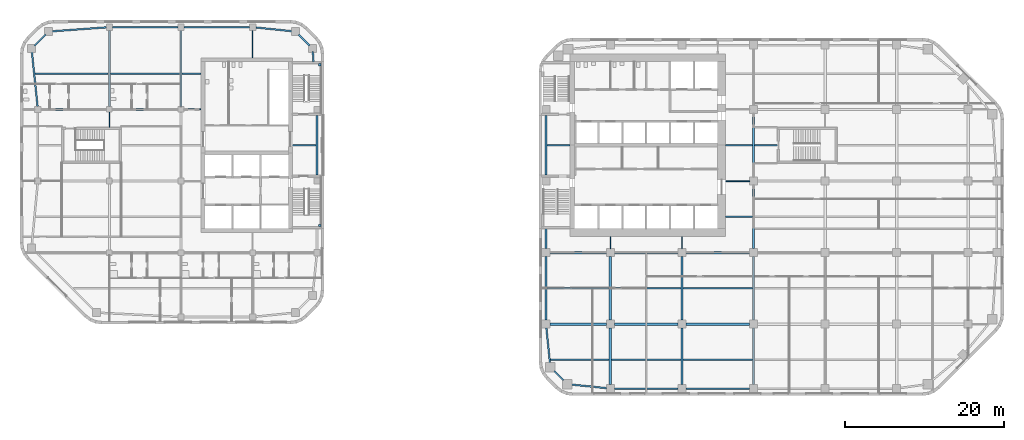
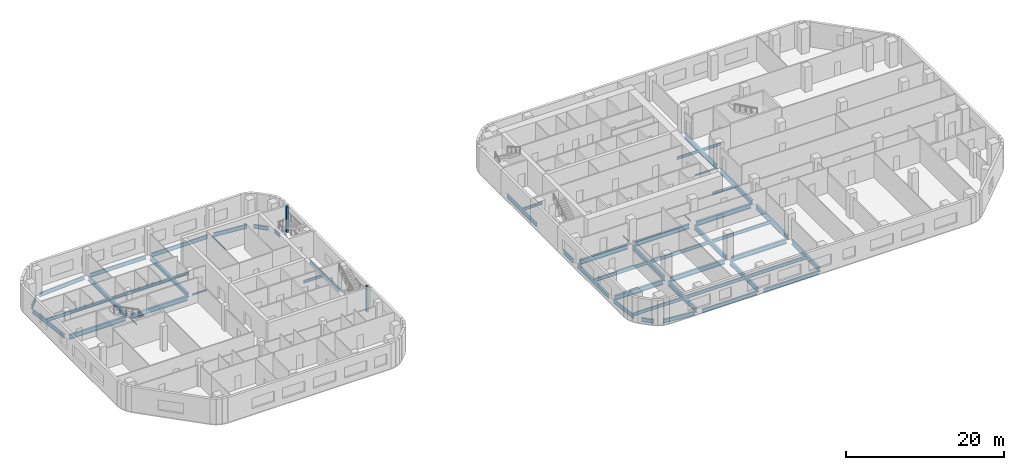
# One storey, part 2 of 16: 55 beams, 2 members.
"""IFC4 building model written with IfcOpenShell, lengths in metres."""

import ifcopenshell
import ifcopenshell.guid

model = None  # the IFC model being written
_history = None  # IfcOwnerHistory: only IFC2X3 demands one
_inside = {}  # id of a spatial element -> (the spatial element, [elements in it])
_under = {}  # id of a project, library or spatial element -> (it, [spatial elements below it])
_declared = {}  # id of a project -> (the project, [libraries it declares])
_typed = {}  # id of a type object -> (the type object, [elements of that type])
_made_of = {}  # id of a material, layer set ... -> (it, [elements and type objects made of it])


def new_model(schema):
    """Start an empty IFC model of exactly this schema.

    Asked for "IFC4X3", IfcOpenShell would pick the latest addendum, in which some entities
    have other attributes; the version numbers below select the first issue.
    IFC2X3 requires an IfcOwnerHistory on every rooted entity: one is made here for all.
    """
    global model, _history
    if schema == "IFC4X3":
        model = ifcopenshell.file(schema_version=(4, 3, 0, 0))
    else:
        model = ifcopenshell.file(schema=schema)
    _inside.clear()
    _under.clear()
    _declared.clear()
    _typed.clear()
    _made_of.clear()
    _history = None
    if model.schema == "IFC2X3":
        org = make("IfcOrganization", Name="unknown")
        user = make(
            "IfcPersonAndOrganization",
            ThePerson=make("IfcPerson", FamilyName="unknown"),
            TheOrganization=org,
        )
        app = make(
            "IfcApplication",
            ApplicationDeveloper=org,
            Version="unknown",
            ApplicationFullName="unknown",
            ApplicationIdentifier="unknown",
        )
        _history = make(
            "IfcOwnerHistory",
            OwningUser=user,
            OwningApplication=app,
            ChangeAction="ADDED",
            CreationDate=0,
        )
    return model


def make(cls, **values):
    """One entity of the class cls with the attributes given. An attribute that is None is left unset."""
    return model.create_entity(
        cls, **{name: value for name, value in values.items() if value is not None}
    )


def rooted(cls, **values):
    """An entity with a GlobalId (a new one), such as an element, a storey or a relation."""
    return make(cls, GlobalId=ifcopenshell.guid.new(), OwnerHistory=_history, **values)


def si_unit(unit_type, name, prefix=None):
    """IfcSIUnit, for example si_unit("LENGTHUNIT", "METRE", prefix="MILLI")."""
    return make("IfcSIUnit", UnitType=unit_type, Prefix=prefix, Name=name)


def assignment(units):
    """IfcUnitAssignment: the units of a project."""
    return None if units is None else make("IfcUnitAssignment", Units=units)


def point(xyz):
    """IfcCartesianPoint."""
    return None if xyz is None else make("IfcCartesianPoint", Coordinates=xyz)


def direction(xyz):
    """IfcDirection."""
    return None if xyz is None else make("IfcDirection", DirectionRatios=xyz)


def frame(location, z_axis=None, x_axis=None):
    """IfcAxis2Placement3D, a coordinate frame: its origin and axes. An axis left out is left unset."""
    return make(
        "IfcAxis2Placement3D",
        Location=point(location),
        Axis=direction(z_axis),
        RefDirection=direction(x_axis),
    )


def frame_2d(location, x_axis=None):
    """IfcAxis2Placement2D, a coordinate frame in the plane: its origin and x axis."""
    return make(
        "IfcAxis2Placement2D", Location=point(location), RefDirection=direction(x_axis)
    )


def origin():
    """The frame at (0, 0, 0) with its axes left unset."""
    return frame((0.0, 0.0, 0.0))


def origin_2d():
    """The frame at (0, 0) in the plane with its x axis left unset."""
    return frame_2d((0.0, 0.0))


def place(relative_to, where):
    """IfcLocalPlacement: puts the frame where relative to a parent placement (None: the world)."""
    return make(
        "IfcLocalPlacement", PlacementRelTo=relative_to, RelativePlacement=where
    )


def context(
    kind, dimensions, precision=None, world=None, true_north=None, identifier=None
):
    """IfcGeometricRepresentationContext, for example the 3D "Model" context."""
    return make(
        "IfcGeometricRepresentationContext",
        ContextIdentifier=identifier,
        ContextType=kind,
        CoordinateSpaceDimension=dimensions,
        Precision=precision,
        WorldCoordinateSystem=world,
        TrueNorth=true_north,
    )


def subcontext(parent, identifier, kind, view, scale=None):
    """IfcGeometricRepresentationSubContext, for example "Body" below "Model"."""
    return make(
        "IfcGeometricRepresentationSubContext",
        ContextIdentifier=identifier,
        ContextType=kind,
        ParentContext=parent,
        TargetScale=scale,
        TargetView=view,
    )


def project(units=None, contexts=None):
    """IfcProject with its units and contexts."""
    return rooted(
        "IfcProject",
        Name="project",
        RepresentationContexts=contexts,
        UnitsInContext=assignment(units),
    )


def spatial(cls, under=None, at=None, **own):
    """A site, building, storey or space (cls), placed at a placement, below another one or the project."""
    s = rooted(cls, ObjectPlacement=at, **own)
    if under is not None:
        _under.setdefault(under.id(), (under, []))[1].append(s)
    return s


def profile(cls, at=None, kind="AREA", **sizes):
    """A parametric profile (cls). Its sizes go by their IFC names, for example OverallWidth=200.0."""
    return make(cls, ProfileType=kind, Position=at, **sizes)


def rectangle(**sizes):
    """IfcRectangleProfileDef."""
    return profile("IfcRectangleProfileDef", **sizes)


def i_section(**sizes):
    """IfcIShapeProfileDef."""
    return profile("IfcIShapeProfileDef", **sizes)


def extrude(swept, where, along, depth):
    """IfcExtrudedAreaSolid: the profile swept, set in the frame where, extruded along a direction by depth."""
    return make(
        "IfcExtrudedAreaSolid",
        SweptArea=swept,
        Position=where,
        ExtrudedDirection=direction(along),
        Depth=depth,
    )


def shape(context_of_items, identifier, shape_type, items):
    """IfcShapeRepresentation: the items that make up one representation, for example the "Body"."""
    return make(
        "IfcShapeRepresentation",
        ContextOfItems=context_of_items,
        RepresentationIdentifier=identifier,
        RepresentationType=shape_type,
        Items=items,
    )


def material(Name=None, Category=None):
    """IfcMaterial."""
    return make("IfcMaterial", Name=Name, Category=Category)


def material_profile(
    of_material, cross_section, Name=None, Category=None, Priority=None
):
    """IfcMaterialProfile: a cross section and its material."""
    return make(
        "IfcMaterialProfile",
        Name=Name,
        Material=of_material,
        Profile=cross_section,
        Priority=Priority,
        Category=Category,
    )


def profile_set(profiles, Name=None, composite=None):
    """IfcMaterialProfileSet."""
    return make(
        "IfcMaterialProfileSet",
        Name=Name,
        MaterialProfiles=profiles,
        CompositeProfile=composite,
    )


def made_of(thing, what):
    """Note that an element or type object is made of a material, layer set ...; save() writes the relation."""
    if what is not None:
        _made_of.setdefault(what.id(), (what, []))[1].append(thing)
    return thing


def type_object(cls, material=None, **own):
    """A type object (cls), such as IfcWallType, which elements share."""
    return made_of(rooted(cls, **own), material)


def element(
    cls,
    number,
    at=None,
    inside=None,
    cuts=None,
    type_object=None,
    material=None,
    context=None,
    identifier="Body",
    shape_type=None,
    held_by="IfcProductDefinitionShape",
    body=None,
    shapes=None,
    **own,
):
    """One element of the class cls, such as IfcWall. Its Tag is "e" and its number.

    at: its placement. inside: the storey or other place that contains it. cuts: it is an
    opening in that element (IfcRelVoidsElement). A single representation is given by context,
    identifier, shape_type and body (its items); several are given by shapes. held_by: the class
    of the entity that holds the representations. save() writes the other relations.
    """
    e = rooted(cls, Tag="e%d" % number, ObjectPlacement=at, **own)
    if body is not None:
        shapes = [shape(context, identifier, shape_type, body)]
    if shapes is not None:
        e.Representation = make(held_by, Representations=shapes)
    if inside is not None:
        _inside.setdefault(inside.id(), (inside, []))[1].append(e)
    if cuts is not None:
        rooted(
            "IfcRelVoidsElement", RelatingBuildingElement=cuts, RelatedOpeningElement=e
        )
    if type_object is not None:
        _typed.setdefault(type_object.id(), (type_object, []))[1].append(e)
    return made_of(e, material)


def aggregate(whole, parts):
    """IfcRelAggregates: a whole, such as a stair, and the parts it consists of."""
    return rooted("IfcRelAggregates", RelatingObject=whole, RelatedObjects=parts)


def save(model, path):
    """Write the relations noted so far, then the file.

    IfcRelAggregates (storeys below a building ...), IfcRelContainedInSpatialStructure (elements
    in a storey), IfcRelDefinesByType, IfcRelAssociatesMaterial and IfcRelDeclares: one each for
    every whole, place, type object, material and project.
    """
    for whole, parts in _under.values():
        aggregate(whole, parts)
    for where, things in _inside.values():
        rooted(
            "IfcRelContainedInSpatialStructure",
            RelatedElements=things,
            RelatingStructure=where,
        )
    for kind, things in _typed.values():
        rooted("IfcRelDefinesByType", RelatedObjects=things, RelatingType=kind)
    for what, things in _made_of.values():
        rooted("IfcRelAssociatesMaterial", RelatedObjects=things, RelatingMaterial=what)
    for by, libraries in _declared.values():
        rooted("IfcRelDeclares", RelatingContext=by, RelatedDefinitions=libraries)
    model.write(path)


model = new_model("IFC4")

# Units and contexts
model_context = context("Model", 3, precision=1e-05, world=origin(), true_north=direction((0.0, 1.0)))
body_context = subcontext(model_context, "Body", "Model", "MODEL_VIEW")
ifc_project = project(units=[si_unit("LENGTHUNIT", "METRE"), si_unit("AREAUNIT", "SQUARE_METRE"), si_unit("VOLUMEUNIT", "CUBIC_METRE"), si_unit("PLANEANGLEUNIT", "RADIAN"), si_unit("MASSUNIT", "GRAM", prefix="KILO")], contexts=[model_context])

# Site, building, storey
site_placement = place(None, origin())
site = spatial("IfcSite", under=ifc_project, at=site_placement, CompositionType="ELEMENT")
building_placement = place(site_placement, origin())
building = spatial("IfcBuilding", under=site, at=building_placement, Name="Cinnabar Reach Civic Tower", CompositionType="ELEMENT")
storey_placement = place(building_placement, frame((0.0, 0.0, 55.0)))
storey = spatial("IfcBuildingStorey", under=building, at=storey_placement, Name="L12", CompositionType="ELEMENT", Elevation=55.0)

# Beams
ifc_material_1 = material(Name="Steel Q355B", Category="steel")
ifc_material_profile_1 = material_profile(ifc_material_1, i_section(OverallWidth=0.302, OverallDepth=0.594, WebThickness=0.014, FlangeThickness=0.023, FilletRadius=0.016, at=origin_2d()), Name="HM594x302x14x23")
ifc_profile_set_1 = profile_set([ifc_material_profile_1], Name="Steel Q355B")
beam_type_1 = type_object("IfcBeamType", Name="HM594x302x14x23 beam R 120", PredefinedType="BEAM", material=ifc_profile_set_1)
for number, where, z_axis, x_axis, name in (
    (1, (-54.0, 36.352, -0.447), (0.0, 1.0, 0.0), (-1.0, 0.0, 0.0), "Girder T2 L12 5"),
    (2, (-45.0, 36.352, -0.447), (0.0, 1.0, 0.0), (-1.0, 0.0, 0.0), "Girder T2 L12 9"),
):
    element("IfcBeam", number, at=place(storey_placement, frame(where, z_axis=z_axis, x_axis=x_axis)), inside=storey, type_object=beam_type_1, Name=name, PredefinedType="BEAM", context=body_context, shape_type="SweptSolid", body=[
        extrude(i_section(OverallWidth=0.302, OverallDepth=0.594, WebThickness=0.014, FlangeThickness=0.023, FilletRadius=0.016, at=origin_2d()), origin(), (0.0, 0.0, 1.0), 9.596),
    ])
ifc_material_profile_2 = material_profile(ifc_material_1, i_section(OverallWidth=0.099, OverallDepth=0.198, WebThickness=0.0045, FlangeThickness=0.007, FilletRadius=0.013, at=origin_2d()), Name="HN200x100x5.5x8")
ifc_profile_set_2 = profile_set([ifc_material_profile_2], Name="Steel Q355B")
beam_type_2 = type_object("IfcBeamType", Name="HN200x100x5.5x8 beam R 120", PredefinedType="BEAM", material=ifc_profile_set_2)
beam_1_placement = place(storey_placement, frame((-54.0, 33.752, -0.249), z_axis=(0.0, 1.0, 0.0), x_axis=(-1.0, 0.0, 0.0)))
element("IfcBeam", 3, at=beam_1_placement, inside=storey, type_object=beam_type_2, Name="Girder T2 L12 4", PredefinedType="BEAM", context=body_context, shape_type="SweptSolid", body=[
    extrude(i_section(OverallWidth=0.099, OverallDepth=0.198, WebThickness=0.0045, FlangeThickness=0.007, FilletRadius=0.013, at=origin_2d()), origin(), (0.0, 0.0, 1.0), 1.896),
])
beam_2_placement = place(storey_placement, frame((-36.0, 42.502, -0.249), z_axis=(0.0, 1.0, 0.0), x_axis=(-1.0, 0.0, 0.0)))
element("IfcBeam", 4, at=beam_2_placement, inside=storey, type_object=beam_type_2, Name="Girder T2 L12 12", PredefinedType="BEAM", context=body_context, shape_type="SweptSolid", body=[
    extrude(i_section(OverallWidth=0.099, OverallDepth=0.198, WebThickness=0.0045, FlangeThickness=0.007, FilletRadius=0.013, at=origin_2d()), origin(), (0.0, 0.0, 1.0), 3.446),
])
ifc_material_profile_3 = material_profile(ifc_material_1, i_section(OverallWidth=0.099, OverallDepth=0.198, WebThickness=0.0045, FlangeThickness=0.007, FilletRadius=0.013, at=origin_2d()), Name="HN200x100x5.5x8")
ifc_profile_set_3 = profile_set([ifc_material_profile_3], Name="Steel Q355B")
beam_type_3 = type_object("IfcBeamType", Name="HN200x100x5.5x8 beam R 180", PredefinedType="BEAM", material=ifc_profile_set_3)
for number, where, z_axis, x_axis, name in (
    (5, (9.0, 18.502, -0.249), (0.0, 1.0, 0.0), (-1.0, 0.0, 0.0), "Girder T1 L12 3"),
    (6, (18.0, 18.502, -0.249), (0.0, 1.0, 0.0), (-1.0, 0.0, 0.0), "Girder T1 L12 6"),
):
    element("IfcBeam", number, at=place(storey_placement, frame(where, z_axis=z_axis, x_axis=x_axis)), inside=storey, type_object=beam_type_3, Name=name, PredefinedType="BEAM", context=body_context, shape_type="SweptSolid", body=[
        extrude(i_section(OverallWidth=0.099, OverallDepth=0.198, WebThickness=0.0045, FlangeThickness=0.007, FilletRadius=0.013, at=origin_2d()), origin(), (0.0, 0.0, 1.0), 1.496),
    ])
ifc_material_profile_4 = material_profile(ifc_material_1, i_section(OverallWidth=0.124, OverallDepth=0.248, WebThickness=0.005, FlangeThickness=0.008, FilletRadius=0.013, at=origin_2d()), Name="HN250x125x6x9")
ifc_profile_set_4 = profile_set([ifc_material_profile_4], Name="Steel Q355B")
beam_type_4 = type_object("IfcBeamType", Name="HN250x125x6x9 beam R 120", PredefinedType="BEAM", material=ifc_profile_set_4)
beam_3_placement = place(storey_placement, frame((-44.648, 36.0, -0.274), z_axis=(1.0, 0.0, 0.0), x_axis=(0.0, 1.0, 0.0)))
element("IfcBeam", 7, at=beam_3_placement, inside=storey, type_object=beam_type_4, Name="Girder T2 L12 10", PredefinedType="BEAM", context=body_context, shape_type="SweptSolid", body=[
    extrude(i_section(OverallWidth=0.124, OverallDepth=0.248, WebThickness=0.005, FlangeThickness=0.008, FilletRadius=0.013, at=origin_2d()), origin(), (0.0, 0.0, 1.0), 2.146),
])
ifc_material_profile_5 = material_profile(ifc_material_1, i_section(OverallWidth=0.124, OverallDepth=0.248, WebThickness=0.005, FlangeThickness=0.008, FilletRadius=0.013, at=origin_2d()), Name="HN250x125x6x9")
ifc_profile_set_5 = profile_set([ifc_material_profile_5], Name="Steel Q355B")
beam_type_5 = type_object("IfcBeamType", Name="HN250x125x6x9 beam R 180", PredefinedType="BEAM", material=ifc_profile_set_5)
beam_4_placement = place(storey_placement, frame((23.502, 27.0, -0.274), z_axis=(1.0, 0.0, 0.0), x_axis=(0.0, 1.0, 0.0)))
element("IfcBeam", 8, at=beam_4_placement, inside=storey, type_object=beam_type_5, Name="Girder T1 L12 15", PredefinedType="BEAM", context=body_context, shape_type="SweptSolid", body=[
    extrude(i_section(OverallWidth=0.124, OverallDepth=0.248, WebThickness=0.005, FlangeThickness=0.008, FilletRadius=0.013, at=origin_2d()), origin(), (0.0, 0.0, 1.0), 2.996),
])
ifc_material_profile_6 = material_profile(ifc_material_1, i_section(OverallWidth=0.199, OverallDepth=0.396, WebThickness=0.007, FlangeThickness=0.011, FilletRadius=0.013, at=origin_2d()), Name="HN396x199x7x11")
ifc_profile_set_6 = profile_set([ifc_material_profile_6], Name="Steel Q355B")
beam_type_6 = type_object("IfcBeamType", Name="HN396x199x7x11 beam R 120", PredefinedType="BEAM", material=ifc_profile_set_6)
beam_5_placement = place(storey_placement, frame((-30.998, 31.5, -0.348), z_axis=(1.0, 0.0, 0.0), x_axis=(0.0, 1.0, 0.0)))
element("IfcBeam", 9, at=beam_5_placement, inside=storey, type_object=beam_type_6, Name="Secondary beam T2 L12 11", PredefinedType="BEAM", context=body_context, shape_type="SweptSolid", body=[
    extrude(i_section(OverallWidth=0.199, OverallDepth=0.396, WebThickness=0.007, FlangeThickness=0.011, FilletRadius=0.013, at=origin_2d()), origin(), (0.0, 0.0, 1.0), 2.996),
])
beam_6_placement = place(storey_placement, frame((-44.847, 40.5, -0.348), z_axis=(1.0, 0.0, 0.0), x_axis=(0.0, 1.0, 0.0)))
element("IfcBeam", 10, at=beam_6_placement, inside=storey, type_object=beam_type_6, Name="Secondary beam T2 L12 14", PredefinedType="BEAM", context=body_context, shape_type="SweptSolid", body=[
    extrude(i_section(OverallWidth=0.199, OverallDepth=0.396, WebThickness=0.007, FlangeThickness=0.011, FilletRadius=0.013, at=origin_2d()), origin(), (0.0, 0.0, 1.0), 2.345),
])
ifc_material_profile_7 = material_profile(ifc_material_1, i_section(OverallWidth=0.2, OverallDepth=0.4, WebThickness=0.008, FlangeThickness=0.013, FilletRadius=0.016, at=origin_2d()), Name="HN400x200x8x13")
ifc_profile_set_7 = profile_set([ifc_material_profile_7], Name="Steel Q355B")
beam_type_7 = type_object("IfcBeamType", Name="HN400x200x8x13 beam R 180", PredefinedType="BEAM", material=ifc_profile_set_7)
beam_7_placement = place(storey_placement, frame((23.502, 22.5, -0.35), z_axis=(1.0, 0.0, 0.0), x_axis=(0.0, 1.0, 0.0)))
element("IfcBeam", 11, at=beam_7_placement, inside=storey, type_object=beam_type_7, Name="Secondary beam T1 L12 14", PredefinedType="BEAM", context=body_context, shape_type="SweptSolid", body=[
    extrude(i_section(OverallWidth=0.2, OverallDepth=0.4, WebThickness=0.008, FlangeThickness=0.013, FilletRadius=0.016, at=origin_2d()), origin(), (0.0, 0.0, 1.0), 3.346),
])
beam_8_placement = place(storey_placement, frame((1.002, 31.5, -0.35), z_axis=(1.0, 0.0, 0.0), x_axis=(0.0, 1.0, 0.0)))
element("IfcBeam", 12, at=beam_8_placement, inside=storey, type_object=beam_type_7, Name="Secondary beam T1 L12 19", PredefinedType="BEAM", context=body_context, shape_type="SweptSolid", body=[
    extrude(i_section(OverallWidth=0.2, OverallDepth=0.4, WebThickness=0.008, FlangeThickness=0.013, FilletRadius=0.016, at=origin_2d()), origin(), (0.0, 0.0, 1.0), 2.896),
])
beam_9_placement = place(storey_placement, frame((23.502, 31.5, -0.35), z_axis=(1.0, 0.0, 0.0), x_axis=(0.0, 1.0, 0.0)))
element("IfcBeam", 13, at=beam_9_placement, inside=storey, type_object=beam_type_7, Name="Secondary beam T1 L12 20", PredefinedType="BEAM", context=body_context, shape_type="SweptSolid", body=[
    extrude(i_section(OverallWidth=0.2, OverallDepth=0.4, WebThickness=0.008, FlangeThickness=0.013, FilletRadius=0.016, at=origin_2d()), origin(), (0.0, 0.0, 1.0), 3.346),
])
beam_10_placement = place(storey_placement, frame((27.152, 31.5, -0.35), z_axis=(1.0, 0.0, 0.0), x_axis=(0.0, 1.0, 0.0)))
element("IfcBeam", 14, at=beam_10_placement, inside=storey, type_object=beam_type_7, Name="Secondary beam T1 L12 21", PredefinedType="BEAM", context=body_context, shape_type="SweptSolid", body=[
    extrude(i_section(OverallWidth=0.2, OverallDepth=0.4, WebThickness=0.008, FlangeThickness=0.013, FilletRadius=0.016, at=origin_2d()), origin(), (0.0, 0.0, 1.0), 2.846),
])
ifc_material_profile_8 = material_profile(ifc_material_1, i_section(OverallWidth=0.199, OverallDepth=0.496, WebThickness=0.009, FlangeThickness=0.014, FilletRadius=0.016, at=origin_2d()), Name="HN496x199x9x14")
ifc_profile_set_8 = profile_set([ifc_material_profile_8], Name="Steel Q355B")
beam_type_8 = type_object("IfcBeamType", Name="HN496x199x9x14 beam R 120", PredefinedType="BEAM", material=ifc_profile_set_8)
beam_11_placement = place(storey_placement, frame((-63.3663, 40.5, -0.398), z_axis=(1.0, 0.0, 0.0), x_axis=(0.0, 1.0, 0.0)))
element("IfcBeam", 15, at=beam_11_placement, inside=storey, type_object=beam_type_8, Name="Secondary beam T2 L12 12", PredefinedType="BEAM", context=body_context, shape_type="SweptSolid", body=[
    extrude(i_section(OverallWidth=0.199, OverallDepth=0.496, WebThickness=0.009, FlangeThickness=0.014, FilletRadius=0.016, at=origin_2d()), origin(), (0.0, 0.0, 1.0), 9.2133),
])
beam_12_placement = place(storey_placement, frame((-53.847, 40.5, -0.398), z_axis=(1.0, 0.0, 0.0), x_axis=(0.0, 1.0, 0.0)))
element("IfcBeam", 16, at=beam_12_placement, inside=storey, type_object=beam_type_8, Name="Secondary beam T2 L12 13", PredefinedType="BEAM", context=body_context, shape_type="SweptSolid", body=[
    extrude(i_section(OverallWidth=0.199, OverallDepth=0.496, WebThickness=0.009, FlangeThickness=0.014, FilletRadius=0.016, at=origin_2d()), origin(), (0.0, 0.0, 1.0), 8.694),
])
ifc_material_profile_9 = material_profile(ifc_material_1, i_section(OverallWidth=0.2, OverallDepth=0.5, WebThickness=0.01, FlangeThickness=0.016, FilletRadius=0.016, at=origin_2d()), Name="HN500x200x10x16")
ifc_profile_set_9 = profile_set([ifc_material_profile_9], Name="Steel Q355B")
beam_type_9 = type_object("IfcBeamType", Name="HN500x200x10x16 beam R 180", PredefinedType="BEAM", material=ifc_profile_set_9)
beam_13_placement = place(storey_placement, frame((1.4636, 4.5, -0.4), z_axis=(1.0, 0.0, 0.0), x_axis=(0.0, 1.0, 0.0)))
element("IfcBeam", 17, at=beam_13_placement, inside=storey, type_object=beam_type_9, Name="Secondary beam T1 L12 1", PredefinedType="BEAM", context=body_context, shape_type="SweptSolid", body=[
    extrude(i_section(OverallWidth=0.2, OverallDepth=0.5, WebThickness=0.01, FlangeThickness=0.016, FilletRadius=0.016, at=origin_2d()), origin(), (0.0, 0.0, 1.0), 7.3844),
])
for number, where, z_axis, x_axis, name in (
    (18, (9.152, 4.5, -0.4), (1.0, 0.0, 0.0), (0.0, 1.0, 0.0), "Secondary beam T1 L12 2"),
    (19, (18.152, 4.5, -0.4), (1.0, 0.0, 0.0), (0.0, 1.0, 0.0), "Secondary beam T1 L12 3"),
):
    element("IfcBeam", number, at=place(storey_placement, frame(where, z_axis=z_axis, x_axis=x_axis)), inside=storey, type_object=beam_type_9, Name=name, PredefinedType="BEAM", context=body_context, shape_type="SweptSolid", body=[
        extrude(i_section(OverallWidth=0.2, OverallDepth=0.5, WebThickness=0.01, FlangeThickness=0.016, FilletRadius=0.016, at=origin_2d()), origin(), (0.0, 0.0, 1.0), 8.696),
    ])
beam_14_placement = place(storey_placement, frame((1.002, 13.5, -0.4), z_axis=(1.0, 0.0, 0.0), x_axis=(0.0, 1.0, 0.0)))
element("IfcBeam", 20, at=beam_14_placement, inside=storey, type_object=beam_type_9, Name="Secondary beam T1 L12 7", PredefinedType="BEAM", context=body_context, shape_type="SweptSolid", body=[
    extrude(i_section(OverallWidth=0.2, OverallDepth=0.5, WebThickness=0.01, FlangeThickness=0.016, FilletRadius=0.016, at=origin_2d()), origin(), (0.0, 0.0, 1.0), 7.846),
])
for number, where, z_axis, x_axis, name in (
    (21, (9.152, 13.5, -0.4), (1.0, 0.0, 0.0), (0.0, 1.0, 0.0), "Secondary beam T1 L12 8"),
    (22, (18.152, 13.5, -0.4), (1.0, 0.0, 0.0), (0.0, 1.0, 0.0), "Secondary beam T1 L12 9"),
):
    element("IfcBeam", number, at=place(storey_placement, frame(where, z_axis=z_axis, x_axis=x_axis)), inside=storey, type_object=beam_type_9, Name=name, PredefinedType="BEAM", context=body_context, shape_type="SweptSolid", body=[
        extrude(i_section(OverallWidth=0.2, OverallDepth=0.5, WebThickness=0.01, FlangeThickness=0.016, FilletRadius=0.016, at=origin_2d()), origin(), (0.0, 0.0, 1.0), 8.696),
    ])
ifc_material_profile_10 = material_profile(ifc_material_1, i_section(OverallWidth=0.2, OverallDepth=0.6, WebThickness=0.011, FlangeThickness=0.017, FilletRadius=0.016, at=origin_2d()), Name="HN600x200x11x17")
ifc_profile_set_10 = profile_set([ifc_material_profile_10], Name="Steel Q355B")
beam_type_10 = type_object("IfcBeamType", Name="HN600x200x11x17 beam R 120", PredefinedType="BEAM", material=ifc_profile_set_10)
beam_15_placement = place(storey_placement, frame((-27.9, 27.752, -0.45), z_axis=(0.0, 1.0, 0.0), x_axis=(-1.0, 0.0, 0.0)))
element("IfcBeam", 23, at=beam_15_placement, inside=storey, type_object=beam_type_10, Name="Edge beam T2 L12 7", PredefinedType="BEAM", context=body_context, shape_type="SweptSolid", body=[
    extrude(i_section(OverallWidth=0.2, OverallDepth=0.6, WebThickness=0.011, FlangeThickness=0.017, FilletRadius=0.016, at=origin_2d()), origin(), (0.0, 0.0, 1.0), 7.496),
])
beam_16_placement = place(storey_placement, frame((-28.3341, 42.002, -0.45), z_axis=(-0.072116143061, 0.997396241175, 0.0), x_axis=(-0.997396241175, -0.072116143061, 0.0)))
element("IfcBeam", 24, at=beam_16_placement, inside=storey, type_object=beam_type_10, Name="Edge beam T2 L12 8", PredefinedType="BEAM", context=body_context, shape_type="SweptSolid", body=[
    extrude(i_section(OverallWidth=0.2, OverallDepth=0.6, WebThickness=0.011, FlangeThickness=0.017, FilletRadius=0.016, at=origin_2d()), origin(), (0.0, 0.0, 1.0), 1.2674),
])
beam_17_placement = place(storey_placement, frame((-28.8351, 44.0301, -0.45), z_axis=(-0.707106781187, 0.707106781187, 0.0), x_axis=(-0.707106781187, -0.707106781187, 0.0)))
element("IfcBeam", 25, at=beam_17_placement, inside=storey, type_object=beam_type_10, Name="Edge beam T2 L12 9", PredefinedType="BEAM", context=body_context, shape_type="SweptSolid", body=[
    extrude(i_section(OverallWidth=0.2, OverallDepth=0.6, WebThickness=0.011, FlangeThickness=0.017, FilletRadius=0.016, at=origin_2d()), origin(), (0.0, 0.0, 1.0), 1.9584),
])
beam_18_placement = place(storey_placement, frame((-30.9839, 45.836, -0.45), z_axis=(-0.994791084875, 0.101934770579, 0.0), x_axis=(-0.101934770579, -0.994791084875, 0.0)))
element("IfcBeam", 26, at=beam_18_placement, inside=storey, type_object=beam_type_10, Name="Edge beam T2 L12 10", PredefinedType="BEAM", context=body_context, shape_type="SweptSolid", body=[
    extrude(i_section(OverallWidth=0.2, OverallDepth=0.6, WebThickness=0.011, FlangeThickness=0.017, FilletRadius=0.016, at=origin_2d()), origin(), (0.0, 0.0, 1.0), 4.6383),
])
for number, where, z_axis, x_axis, name in (
    (27, (-36.402, 46.35, -0.45), (-1.0, 0.0, 0.0), (0.0, -1.0, 0.0), "Edge beam T2 L12 11"),
    (28, (-45.402, 46.35, -0.45), (-1.0, 0.0, 0.0), (0.0, -1.0, 0.0), "Edge beam T2 L12 12"),
):
    element("IfcBeam", number, at=place(storey_placement, frame(where, z_axis=z_axis, x_axis=x_axis)), inside=storey, type_object=beam_type_10, Name=name, PredefinedType="BEAM", context=body_context, shape_type="SweptSolid", body=[
        extrude(i_section(OverallWidth=0.2, OverallDepth=0.6, WebThickness=0.011, FlangeThickness=0.017, FilletRadius=0.016, at=origin_2d()), origin(), (0.0, 0.0, 1.0), 8.196),
    ])
beam_19_placement = place(storey_placement, frame((-54.402, 46.3209, -0.45), z_axis=(-0.997395244781, -0.072129922278, 0.0), x_axis=(0.072129922278, -0.997395244781, 0.0)))
element("IfcBeam", 29, at=beam_19_placement, inside=storey, type_object=beam_type_10, Name="Edge beam T2 L12 13", PredefinedType="BEAM", context=body_context, shape_type="SweptSolid", body=[
    extrude(i_section(OverallWidth=0.2, OverallDepth=0.6, WebThickness=0.011, FlangeThickness=0.017, FilletRadius=0.016, at=origin_2d()), origin(), (0.0, 0.0, 1.0), 6.882),
])
beam_20_placement = place(storey_placement, frame((-62.0301, 45.4149, -0.45), z_axis=(-0.707106781187, -0.707106781187, 0.0), x_axis=(0.707106781187, -0.707106781187, 0.0)))
element("IfcBeam", 30, at=beam_20_placement, inside=storey, type_object=beam_type_10, Name="Edge beam T2 L12 14", PredefinedType="BEAM", context=body_context, shape_type="SweptSolid", body=[
    extrude(i_section(OverallWidth=0.2, OverallDepth=0.6, WebThickness=0.011, FlangeThickness=0.017, FilletRadius=0.016, at=origin_2d()), origin(), (0.0, 0.0, 1.0), 1.9584),
])
beam_21_placement = place(storey_placement, frame((-63.7571, 43.2661, -0.45), z_axis=(0.103633260175, -0.994615577691, 0.0), x_axis=(0.994615577691, 0.103633260175, 0.0)))
element("IfcBeam", 31, at=beam_21_placement, inside=storey, type_object=beam_type_10, Name="Edge beam T2 L12 15", PredefinedType="BEAM", context=body_context, shape_type="SweptSolid", body=[
    extrude(i_section(OverallWidth=0.2, OverallDepth=0.6, WebThickness=0.011, FlangeThickness=0.017, FilletRadius=0.016, at=origin_2d()), origin(), (0.0, 0.0, 1.0), 6.9013),
])
ifc_material_profile_11 = material_profile(ifc_material_1, i_section(OverallWidth=0.2, OverallDepth=0.6, WebThickness=0.011, FlangeThickness=0.017, FilletRadius=0.016, at=origin_2d()), Name="HN600x200x11x17")
ifc_profile_set_11 = profile_set([ifc_material_profile_11], Name="Steel Q355B")
beam_type_11 = type_object("IfcBeamType", Name="HN600x200x11x17 beam R 180", PredefinedType="BEAM", material=ifc_profile_set_11)
beam_22_placement = place(storey_placement, frame((4.0839, 1.4037, -0.45), z_axis=(0.994791228755, -0.101933366432, 0.0), x_axis=(0.101933366432, 0.994791228755, 0.0)))
element("IfcBeam", 32, at=beam_22_placement, inside=storey, type_object=beam_type_11, Name="Edge beam T1 L12 1", PredefinedType="BEAM", context=body_context, shape_type="SweptSolid", body=[
    extrude(i_section(OverallWidth=0.2, OverallDepth=0.6, WebThickness=0.011, FlangeThickness=0.017, FilletRadius=0.016, at=origin_2d()), origin(), (0.0, 0.0, 1.0), 4.4372),
])
for number, where, z_axis, x_axis, name in (
    (33, (9.502, 0.9, -0.45), (1.0, 0.0, 0.0), (0.0, 1.0, 0.0), "Edge beam T1 L12 2"),
    (34, (18.502, 0.9, -0.45), (1.0, 0.0, 0.0), (0.0, 1.0, 0.0), "Edge beam T1 L12 3"),
):
    element("IfcBeam", number, at=place(storey_placement, frame(where, z_axis=z_axis, x_axis=x_axis)), inside=storey, type_object=beam_type_11, Name=name, PredefinedType="BEAM", context=body_context, shape_type="SweptSolid", body=[
        extrude(i_section(OverallWidth=0.2, OverallDepth=0.6, WebThickness=0.011, FlangeThickness=0.017, FilletRadius=0.016, at=origin_2d()), origin(), (0.0, 0.0, 1.0), 7.996),
    ])
beam_23_placement = place(storey_placement, frame((0.9, 35.248, -0.45), z_axis=(0.0, -1.0, 0.0), x_axis=(1.0, 0.0, 0.0)))
element("IfcBeam", 35, at=beam_23_placement, inside=storey, type_object=beam_type_11, Name="Edge beam T1 L12 20", PredefinedType="BEAM", context=body_context, shape_type="SweptSolid", body=[
    extrude(i_section(OverallWidth=0.2, OverallDepth=0.6, WebThickness=0.011, FlangeThickness=0.017, FilletRadius=0.016, at=origin_2d()), origin(), (0.0, 0.0, 1.0), 7.496),
])
beam_24_placement = place(storey_placement, frame((0.9, 20.998, -0.45), z_axis=(0.0, -1.0, 0.0), x_axis=(1.0, 0.0, 0.0)))
element("IfcBeam", 36, at=beam_24_placement, inside=storey, type_object=beam_type_11, Name="Edge beam T1 L12 21", PredefinedType="BEAM", context=body_context, shape_type="SweptSolid", body=[
    extrude(i_section(OverallWidth=0.2, OverallDepth=0.6, WebThickness=0.011, FlangeThickness=0.017, FilletRadius=0.016, at=origin_2d()), origin(), (0.0, 0.0, 1.0), 2.496),
])
beam_25_placement = place(storey_placement, frame((0.9, 17.498, -0.45), z_axis=(0.0, -1.0, 0.0), x_axis=(1.0, 0.0, 0.0)))
element("IfcBeam", 37, at=beam_25_placement, inside=storey, type_object=beam_type_11, Name="Edge beam T1 L12 22", PredefinedType="BEAM", context=body_context, shape_type="SweptSolid", body=[
    extrude(i_section(OverallWidth=0.2, OverallDepth=0.6, WebThickness=0.011, FlangeThickness=0.017, FilletRadius=0.016, at=origin_2d()), origin(), (0.0, 0.0, 1.0), 7.996),
])
beam_26_placement = place(storey_placement, frame((0.9514, 8.498, -0.45), z_axis=(0.101933366432, -0.994791228755, 0.0), x_axis=(0.994791228755, 0.101933366432, 0.0)))
element("IfcBeam", 38, at=beam_26_placement, inside=storey, type_object=beam_type_11, Name="Edge beam T1 L12 23", PredefinedType="BEAM", context=body_context, shape_type="SweptSolid", body=[
    extrude(i_section(OverallWidth=0.2, OverallDepth=0.6, WebThickness=0.011, FlangeThickness=0.017, FilletRadius=0.016, at=origin_2d()), origin(), (0.0, 0.0, 1.0), 4.4372),
])
beam_27_placement = place(storey_placement, frame((1.9351, 3.1199, -0.45), z_axis=(0.707106781187, -0.707106781187, 0.0), x_axis=(0.707106781187, 0.707106781187, 0.0)))
element("IfcBeam", 39, at=beam_27_placement, inside=storey, type_object=beam_type_11, Name="Edge beam T1 L12 24", PredefinedType="BEAM", context=body_context, shape_type="SweptSolid", body=[
    extrude(i_section(OverallWidth=0.2, OverallDepth=0.6, WebThickness=0.011, FlangeThickness=0.017, FilletRadius=0.016, at=origin_2d()), origin(), (0.0, 0.0, 1.0), 1.6756),
])
ifc_material_profile_12 = material_profile(ifc_material_1, i_section(OverallWidth=0.3, OverallDepth=0.692, WebThickness=0.013, FlangeThickness=0.02, FilletRadius=0.016, at=origin_2d()), Name="HN692x300x13x20")
ifc_profile_set_12 = profile_set([ifc_material_profile_12], Name="Steel Q355B")
beam_type_12 = type_object("IfcBeamType", Name="HN692x300x13x20 beam R 120", PredefinedType="BEAM", material=ifc_profile_set_12)
beam_28_placement = place(storey_placement, frame((-62.598, 36.0, -0.496), z_axis=(1.0, 0.0, 0.0), x_axis=(0.0, 1.0, 0.0)))
element("IfcBeam", 40, at=beam_28_placement, inside=storey, type_object=beam_type_12, Name="Girder T2 L12 8", PredefinedType="BEAM", context=body_context, shape_type="SweptSolid", body=[
    extrude(i_section(OverallWidth=0.3, OverallDepth=0.692, WebThickness=0.013, FlangeThickness=0.02, FilletRadius=0.016, at=origin_2d()), origin(), (0.0, 0.0, 1.0), 8.246),
])
beam_29_placement = place(storey_placement, frame((-53.648, 36.0, -0.496), z_axis=(1.0, 0.0, 0.0), x_axis=(0.0, 1.0, 0.0)))
element("IfcBeam", 41, at=beam_29_placement, inside=storey, type_object=beam_type_12, Name="Girder T2 L12 9", PredefinedType="BEAM", context=body_context, shape_type="SweptSolid", body=[
    extrude(i_section(OverallWidth=0.3, OverallDepth=0.692, WebThickness=0.013, FlangeThickness=0.02, FilletRadius=0.016, at=origin_2d()), origin(), (0.0, 0.0, 1.0), 8.296),
])
ifc_material_profile_13 = material_profile(ifc_material_1, i_section(OverallWidth=0.3, OverallDepth=0.692, WebThickness=0.013, FlangeThickness=0.02, FilletRadius=0.016, at=origin_2d()), Name="HN692x300x13x20")
ifc_profile_set_13 = profile_set([ifc_material_profile_13], Name="Steel Q355B")
beam_type_13 = type_object("IfcBeamType", Name="HN692x300x13x20 beam R 180", PredefinedType="BEAM", material=ifc_profile_set_13)
beam_30_placement = place(storey_placement, frame((9.0, 1.402, -0.496), z_axis=(0.0, 1.0, 0.0), x_axis=(-1.0, 0.0, 0.0)))
element("IfcBeam", 42, at=beam_30_placement, inside=storey, type_object=beam_type_13, Name="Girder T1 L12 1", PredefinedType="BEAM", context=body_context, shape_type="SweptSolid", body=[
    extrude(i_section(OverallWidth=0.3, OverallDepth=0.692, WebThickness=0.013, FlangeThickness=0.02, FilletRadius=0.016, at=origin_2d()), origin(), (0.0, 0.0, 1.0), 7.096),
])
beam_31_placement = place(storey_placement, frame((9.0, 9.502, -0.496), z_axis=(0.0, 1.0, 0.0), x_axis=(-1.0, 0.0, 0.0)))
element("IfcBeam", 43, at=beam_31_placement, inside=storey, type_object=beam_type_13, Name="Girder T1 L12 2", PredefinedType="BEAM", context=body_context, shape_type="SweptSolid", body=[
    extrude(i_section(OverallWidth=0.3, OverallDepth=0.692, WebThickness=0.013, FlangeThickness=0.02, FilletRadius=0.016, at=origin_2d()), origin(), (0.0, 0.0, 1.0), 7.996),
])
beam_32_placement = place(storey_placement, frame((18.0, 1.402, -0.496), z_axis=(0.0, 1.0, 0.0), x_axis=(-1.0, 0.0, 0.0)))
element("IfcBeam", 44, at=beam_32_placement, inside=storey, type_object=beam_type_13, Name="Girder T1 L12 4", PredefinedType="BEAM", context=body_context, shape_type="SweptSolid", body=[
    extrude(i_section(OverallWidth=0.3, OverallDepth=0.692, WebThickness=0.013, FlangeThickness=0.02, FilletRadius=0.016, at=origin_2d()), origin(), (0.0, 0.0, 1.0), 7.096),
])
beam_33_placement = place(storey_placement, frame((18.0, 9.502, -0.496), z_axis=(0.0, 1.0, 0.0), x_axis=(-1.0, 0.0, 0.0)))
element("IfcBeam", 45, at=beam_33_placement, inside=storey, type_object=beam_type_13, Name="Girder T1 L12 5", PredefinedType="BEAM", context=body_context, shape_type="SweptSolid", body=[
    extrude(i_section(OverallWidth=0.3, OverallDepth=0.692, WebThickness=0.013, FlangeThickness=0.02, FilletRadius=0.016, at=origin_2d()), origin(), (0.0, 0.0, 1.0), 7.996),
])
beam_34_placement = place(storey_placement, frame((27.0, 1.402, -0.496), z_axis=(0.0, 1.0, 0.0), x_axis=(-1.0, 0.0, 0.0)))
element("IfcBeam", 46, at=beam_34_placement, inside=storey, type_object=beam_type_13, Name="Girder T1 L12 7", PredefinedType="BEAM", context=body_context, shape_type="SweptSolid", body=[
    extrude(i_section(OverallWidth=0.3, OverallDepth=0.692, WebThickness=0.013, FlangeThickness=0.02, FilletRadius=0.016, at=origin_2d()), origin(), (0.0, 0.0, 1.0), 7.096),
])
for number, where, z_axis, x_axis, name in (
    (47, (27.0, 9.502, -0.496), (0.0, 1.0, 0.0), (-1.0, 0.0, 0.0), "Girder T1 L12 8"),
    (48, (27.0, 18.502, -0.496), (0.0, 1.0, 0.0), (-1.0, 0.0, 0.0), "Girder T1 L12 9"),
    (49, (27.0, 27.502, -0.496), (0.0, 1.0, 0.0), (-1.0, 0.0, 0.0), "Girder T1 L12 10"),
):
    element("IfcBeam", number, at=place(storey_placement, frame(where, z_axis=z_axis, x_axis=x_axis)), inside=storey, type_object=beam_type_13, Name=name, PredefinedType="BEAM", context=body_context, shape_type="SweptSolid", body=[
        extrude(i_section(OverallWidth=0.3, OverallDepth=0.692, WebThickness=0.013, FlangeThickness=0.02, FilletRadius=0.016, at=origin_2d()), origin(), (0.0, 0.0, 1.0), 7.996),
    ])
ifc_material_profile_14 = material_profile(ifc_material_1, i_section(OverallWidth=0.3, OverallDepth=0.7, WebThickness=0.013, FlangeThickness=0.024, FilletRadius=0.02, at=origin_2d()), Name="HN700x300x13x24")
ifc_profile_set_14 = profile_set([ifc_material_profile_14], Name="Steel Q355B")
beam_type_14 = type_object("IfcBeamType", Name="HN700x300x13x24 beam R 180", PredefinedType="BEAM", material=ifc_profile_set_14)
beam_35_placement = place(storey_placement, frame((1.402, 9.0, -0.5), z_axis=(1.0, 0.0, 0.0), x_axis=(0.0, 1.0, 0.0)))
element("IfcBeam", 50, at=beam_35_placement, inside=storey, type_object=beam_type_14, Name="Girder T1 L12 1", PredefinedType="BEAM", context=body_context, shape_type="SweptSolid", body=[
    extrude(i_section(OverallWidth=0.3, OverallDepth=0.7, WebThickness=0.013, FlangeThickness=0.024, FilletRadius=0.02, at=origin_2d()), origin(), (0.0, 0.0, 1.0), 7.096),
])
for number, where, z_axis, x_axis, name in (
    (51, (9.502, 9.0, -0.5), (1.0, 0.0, 0.0), (0.0, 1.0, 0.0), "Girder T1 L12 2"),
    (52, (18.502, 9.0, -0.5), (1.0, 0.0, 0.0), (0.0, 1.0, 0.0), "Girder T1 L12 3"),
):
    element("IfcBeam", number, at=place(storey_placement, frame(where, z_axis=z_axis, x_axis=x_axis)), inside=storey, type_object=beam_type_14, Name=name, PredefinedType="BEAM", context=body_context, shape_type="SweptSolid", body=[
        extrude(i_section(OverallWidth=0.3, OverallDepth=0.7, WebThickness=0.013, FlangeThickness=0.024, FilletRadius=0.02, at=origin_2d()), origin(), (0.0, 0.0, 1.0), 7.996),
    ])
beam_36_placement = place(storey_placement, frame((1.402, 18.0, -0.5), z_axis=(1.0, 0.0, 0.0), x_axis=(0.0, 1.0, 0.0)))
element("IfcBeam", 53, at=beam_36_placement, inside=storey, type_object=beam_type_14, Name="Girder T1 L12 8", PredefinedType="BEAM", context=body_context, shape_type="SweptSolid", body=[
    extrude(i_section(OverallWidth=0.3, OverallDepth=0.7, WebThickness=0.013, FlangeThickness=0.024, FilletRadius=0.02, at=origin_2d()), origin(), (0.0, 0.0, 1.0), 7.096),
])
for number, where, z_axis, x_axis, name in (
    (54, (9.502, 18.0, -0.5), (1.0, 0.0, 0.0), (0.0, 1.0, 0.0), "Girder T1 L12 9"),
    (55, (18.502, 18.0, -0.5), (1.0, 0.0, 0.0), (0.0, 1.0, 0.0), "Girder T1 L12 10"),
):
    element("IfcBeam", number, at=place(storey_placement, frame(where, z_axis=z_axis, x_axis=x_axis)), inside=storey, type_object=beam_type_14, Name=name, PredefinedType="BEAM", context=body_context, shape_type="SweptSolid", body=[
        extrude(i_section(OverallWidth=0.3, OverallDepth=0.7, WebThickness=0.013, FlangeThickness=0.024, FilletRadius=0.02, at=origin_2d()), origin(), (0.0, 0.0, 1.0), 7.996),
    ])

# Members
ifc_material_2 = material(Name="Concrete C40", Category="concrete")
ifc_material_profile_15 = material_profile(ifc_material_2, rectangle(XDim=0.3, YDim=0.3, at=origin_2d()), Name="C300")
ifc_profile_set_15 = profile_set([ifc_material_profile_15], Name="Concrete C40")
member_type = type_object("IfcMemberType", Name="T2 stair post 300", PredefinedType="STRUT", material=ifc_profile_set_15)
for number, where, z_axis, x_axis, name in (
    (56, (-27.55, 21.4, 0.0), (0.0, 0.0, 1.0), (1.0, 0.0, 0.0), "Stair post 1"),
    (57, (-27.55, 41.6, 0.0), (0.0, 0.0, 1.0), (1.0, 0.0, 0.0), "Stair post 2"),
):
    element("IfcMember", number, at=place(storey_placement, frame(where, z_axis=z_axis, x_axis=x_axis)), inside=storey, type_object=member_type, Name=name, PredefinedType="STRUT", context=body_context, shape_type="SweptSolid", body=[
        extrude(rectangle(XDim=0.3, YDim=0.3, at=origin_2d()), origin(), (0.0, 0.0, 1.0), 4.0),
    ])

save(model, "model.ifc")
